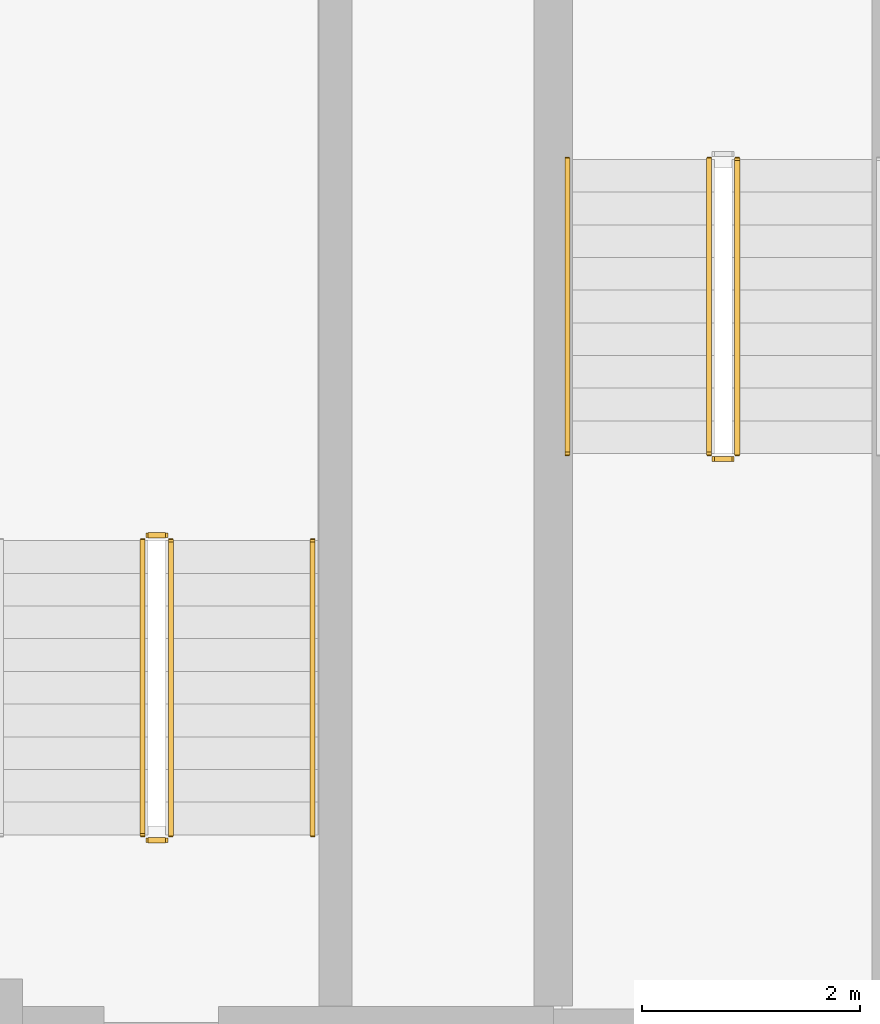
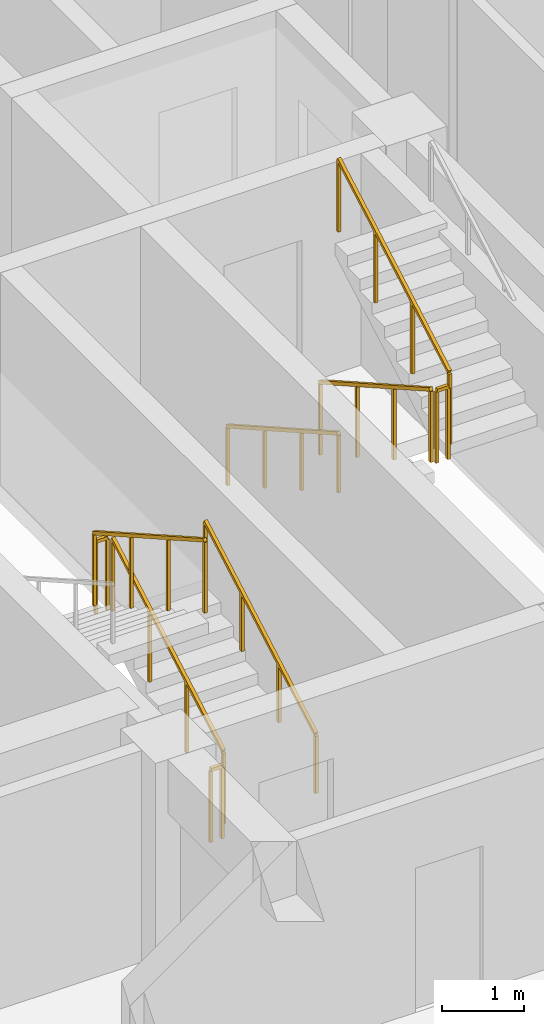
# One storey, part 9 of 14: 9 railings.
"""IFC4 building model written with IfcOpenShell, lengths in metres."""

from ifc_helpers import new_model, si_unit, direction, frame, origin, origin_2d, place, context, subcontext, project, spatial, rectangle, extrude, material, type_object, element, save


model = new_model("IFC4")

# Units and contexts
model_context = context("Model", 3, precision=1e-05, world=origin(), true_north=direction((0.0, 1.0)))
body_context = subcontext(model_context, "Body", "Model", "MODEL_VIEW")
ifc_project = project(units=[si_unit("LENGTHUNIT", "METRE"), si_unit("AREAUNIT", "SQUARE_METRE"), si_unit("VOLUMEUNIT", "CUBIC_METRE"), si_unit("PLANEANGLEUNIT", "RADIAN"), si_unit("MASSUNIT", "GRAM", prefix="KILO")], contexts=[model_context])

# Site, building, storey
site_placement = place(None, origin())
site = spatial("IfcSite", under=ifc_project, at=site_placement, CompositionType="ELEMENT")
building_placement = place(site_placement, origin())
building = spatial("IfcBuilding", under=site, at=building_placement, Name="Zulmaris Gate Convention Tower", CompositionType="ELEMENT")
storey_placement = place(building_placement, frame((0.0, 0.0, 198.260009765625)))
storey = spatial("IfcBuildingStorey", under=building, at=storey_placement, Name="L51", CompositionType="ELEMENT", Elevation=198.260009765625)

# Railings
ifc_material_1 = material(Name="Painted Galvanised Steel", Category="steel")
railing_type_1 = type_object("IfcRailingType", Name="RL-STG-1150", PredefinedType="GUARDRAIL", material=ifc_material_1)
railing_1_placement = place(storey_placement, frame((-13.27001953125, -2.0, 0.169921875)))
element("IfcRailing", 1, at=railing_1_placement, inside=storey, type_object=railing_type_1, Name="L51 ST-1 stair guard 1", PredefinedType="GUARDRAIL", context=body_context, shape_type="SweptSolid", body=[
    extrude(rectangle(XDim=0.048095703125, YDim=0.048095703125, at=origin_2d()), frame((0.0, 0.0, 1.076171875), z_axis=(0.0, -0.870014312096, 0.49302646658), x_axis=(1.0, 0.0, 0.0)), (0.0, 0.0, 1.0), 3.103271484375),
    extrude(rectangle(XDim=0.0419921875, YDim=0.0419921875, at=origin_2d()), origin(), (0.0, 0.0, 1.0), 1.052001953125),
    extrude(rectangle(XDim=0.0419921875, YDim=0.0419921875, at=origin_2d()), frame((0.0, -0.89990234375, 0.510009765625)), (0.0, 0.0, 1.0), 1.052001953125),
    extrude(rectangle(XDim=0.0419921875, YDim=0.0419921875, at=origin_2d()), frame((0.0, -1.800048828125, 1.02001953125)), (0.0, 0.0, 1.0), 1.052001953125),
    extrude(rectangle(XDim=0.0419921875, YDim=0.0419921875, at=origin_2d()), frame((0.0, -2.699951171875, 1.530029296875)), (0.0, 0.0, 1.0), 1.052001953125),
])
railing_2_placement = place(storey_placement, frame((-13.219970703125, -4.75, 1.699951171875)))
element("IfcRailing", 2, at=railing_2_placement, inside=storey, type_object=railing_type_1, Name="L51 ST-1 stair guard 2", PredefinedType="GUARDRAIL", context=body_context, shape_type="SweptSolid", body=[
    extrude(rectangle(XDim=0.048095703125, YDim=0.048095703125, at=origin_2d()), frame((0.0, 0.0, 1.076171875), z_axis=(1.0, 0.0, 0.0), x_axis=(0.0, 1.0, 0.0)), (0.0, 0.0, 1.0), 0.159912109375),
    extrude(rectangle(XDim=0.0419921875, YDim=0.0419921875, at=origin_2d()), origin(), (0.0, 0.0, 1.0), 1.052001953125),
    extrude(rectangle(XDim=0.0419921875, YDim=0.0419921875, at=origin_2d()), frame((0.159912109375, 0.0, 0.0)), (0.0, 0.0, 1.0), 1.052001953125),
])
for number, where, name in (
    (3, (-13.010009765625, -4.699951171875, 1.869873046875), "L51 ST-1 stair guard 3"),
    (4, (-18.2099609375, -8.199951171875, 0.169921875), "L51 ST-3 stair guard 1"),
):
    element("IfcRailing", number, at=place(storey_placement, frame(where)), inside=storey, type_object=railing_type_1, Name=name, PredefinedType="GUARDRAIL", context=body_context, shape_type="SweptSolid", body=[
        extrude(rectangle(XDim=0.048095703125, YDim=0.048095703125, at=origin_2d()), frame((0.0, 0.0, 1.076171875), z_axis=(0.0, 0.870014312096, 0.49302646658), x_axis=(-1.0, 0.0, 0.0)), (0.0, 0.0, 1.0), 3.103271484375),
        extrude(rectangle(XDim=0.0419921875, YDim=0.0419921875, at=origin_2d()), origin(), (0.0, 0.0, 1.0), 1.052001953125),
        extrude(rectangle(XDim=0.0419921875, YDim=0.0419921875, at=origin_2d()), frame((0.0, 0.89990234375, 0.510009765625)), (0.0, 0.0, 1.0), 1.052001953125),
        extrude(rectangle(XDim=0.0419921875, YDim=0.0419921875, at=origin_2d()), frame((0.0, 1.800048828125, 1.02001953125)), (0.0, 0.0, 1.0), 1.052001953125),
        extrude(rectangle(XDim=0.0419921875, YDim=0.0419921875, at=origin_2d()), frame((0.0, 2.699951171875, 1.530029296875)), (0.0, 0.0, 1.0), 1.052001953125),
    ])
railing_3_placement = place(storey_placement, frame((-18.260009765625, -5.449951171875, 1.699951171875)))
element("IfcRailing", 5, at=railing_3_placement, inside=storey, type_object=railing_type_1, Name="L51 ST-3 stair guard 2", PredefinedType="GUARDRAIL", context=body_context, shape_type="SweptSolid", body=[
    extrude(rectangle(XDim=0.048095703125, YDim=0.048095703125, at=origin_2d()), frame((0.0, 0.0, 1.076171875), z_axis=(-1.0, 0.0, 0.0), x_axis=(0.0, -1.0, 0.0)), (0.0, 0.0, 1.0), 0.159912109375),
    extrude(rectangle(XDim=0.0419921875, YDim=0.0419921875, at=origin_2d()), origin(), (0.0, 0.0, 1.0), 1.052001953125),
    extrude(rectangle(XDim=0.0419921875, YDim=0.0419921875, at=origin_2d()), frame((-0.159912109375, 0.0, 0.0)), (0.0, 0.0, 1.0), 1.052001953125),
])
railing_4_placement = place(storey_placement, frame((-18.469970703125, -5.5, 1.869873046875)))
element("IfcRailing", 6, at=railing_4_placement, inside=storey, type_object=railing_type_1, Name="L51 ST-3 stair guard 3", PredefinedType="GUARDRAIL", context=body_context, shape_type="SweptSolid", body=[
    extrude(rectangle(XDim=0.048095703125, YDim=0.048095703125, at=origin_2d()), frame((0.0, 0.0, 1.076171875), z_axis=(0.0, -0.870014312096, 0.49302646658), x_axis=(1.0, 0.0, 0.0)), (0.0, 0.0, 1.0), 3.103271484375),
    extrude(rectangle(XDim=0.0419921875, YDim=0.0419921875, at=origin_2d()), origin(), (0.0, 0.0, 1.0), 1.052001953125),
    extrude(rectangle(XDim=0.0419921875, YDim=0.0419921875, at=origin_2d()), frame((0.0, -0.89990234375, 0.510009765625)), (0.0, 0.0, 1.0), 1.052001953125),
    extrude(rectangle(XDim=0.0419921875, YDim=0.0419921875, at=origin_2d()), frame((0.0, -1.800048828125, 1.02001953125)), (0.0, 0.0, 1.0), 1.052001953125),
    extrude(rectangle(XDim=0.0419921875, YDim=0.0419921875, at=origin_2d()), frame((0.0, -2.699951171875, 1.530029296875)), (0.0, 0.0, 1.0), 1.052001953125),
])
railing_5_placement = place(storey_placement, frame((-18.260009765625, -8.25, 0.0)))
element("IfcRailing", 7, at=railing_5_placement, inside=storey, type_object=railing_type_1, Name="L51 ST-3 stair guard 4", PredefinedType="GUARDRAIL", context=body_context, shape_type="SweptSolid", body=[
    extrude(rectangle(XDim=0.048095703125, YDim=0.048095703125, at=origin_2d()), frame((0.0, 0.0, 1.076171875), z_axis=(-1.0, 0.0, 0.0), x_axis=(0.0, -1.0, 0.0)), (0.0, 0.0, 1.0), 0.159912109375),
    extrude(rectangle(XDim=0.0419921875, YDim=0.0419921875, at=origin_2d()), origin(), (0.0, 0.0, 1.0), 1.052001953125),
    extrude(rectangle(XDim=0.0419921875, YDim=0.0419921875, at=origin_2d()), frame((-0.159912109375, 0.0, 0.0)), (0.0, 0.0, 1.0), 1.052001953125),
])
ifc_material_2 = material(Name="Brushed Stainless Steel", Category="steel")
railing_type_2 = type_object("IfcRailingType", Name="RL-STH-900", PredefinedType="HANDRAIL", material=ifc_material_2)
railing_6_placement = place(storey_placement, frame((-14.570068359375, -2.0, 0.169921875)))
element("IfcRailing", 8, at=railing_6_placement, inside=storey, type_object=railing_type_2, Name="L51 ST-1 stair handrail 1", PredefinedType="HANDRAIL", context=body_context, shape_type="SweptSolid", body=[
    extrude(rectangle(XDim=0.048095703125, YDim=0.048095703125, at=origin_2d()), frame((0.0, 0.0, 0.8759765625), z_axis=(0.0, -0.870014312096, 0.49302646658), x_axis=(1.0, 0.0, 0.0)), (0.0, 0.0, 1.0), 3.103271484375),
    extrude(rectangle(XDim=0.0419921875, YDim=0.0419921875, at=origin_2d()), origin(), (0.0, 0.0, 1.0), 0.851806640625),
    extrude(rectangle(XDim=0.0419921875, YDim=0.0419921875, at=origin_2d()), frame((0.0, -0.89990234375, 0.510009765625)), (0.0, 0.0, 1.0), 0.851806640625),
    extrude(rectangle(XDim=0.0419921875, YDim=0.0419921875, at=origin_2d()), frame((0.0, -1.800048828125, 1.02001953125)), (0.0, 0.0, 1.0), 0.851806640625),
    extrude(rectangle(XDim=0.0419921875, YDim=0.0419921875, at=origin_2d()), frame((0.0, -2.699951171875, 1.530029296875)), (0.0, 0.0, 1.0), 0.851806640625),
])
railing_7_placement = place(storey_placement, frame((-16.909912109375, -8.199951171875, 0.169921875)))
element("IfcRailing", 9, at=railing_7_placement, inside=storey, type_object=railing_type_2, Name="L51 ST-3 stair handrail 1", PredefinedType="HANDRAIL", context=body_context, shape_type="SweptSolid", body=[
    extrude(rectangle(XDim=0.048095703125, YDim=0.048095703125, at=origin_2d()), frame((0.0, 0.0, 0.8759765625), z_axis=(0.0, 0.870014312096, 0.49302646658), x_axis=(-1.0, 0.0, 0.0)), (0.0, 0.0, 1.0), 3.103271484375),
    extrude(rectangle(XDim=0.0419921875, YDim=0.0419921875, at=origin_2d()), origin(), (0.0, 0.0, 1.0), 0.851806640625),
    extrude(rectangle(XDim=0.0419921875, YDim=0.0419921875, at=origin_2d()), frame((0.0, 0.89990234375, 0.510009765625)), (0.0, 0.0, 1.0), 0.851806640625),
    extrude(rectangle(XDim=0.0419921875, YDim=0.0419921875, at=origin_2d()), frame((0.0, 1.800048828125, 1.02001953125)), (0.0, 0.0, 1.0), 0.851806640625),
    extrude(rectangle(XDim=0.0419921875, YDim=0.0419921875, at=origin_2d()), frame((0.0, 2.699951171875, 1.530029296875)), (0.0, 0.0, 1.0), 0.851806640625),
])

save(model, "model.ifc")
